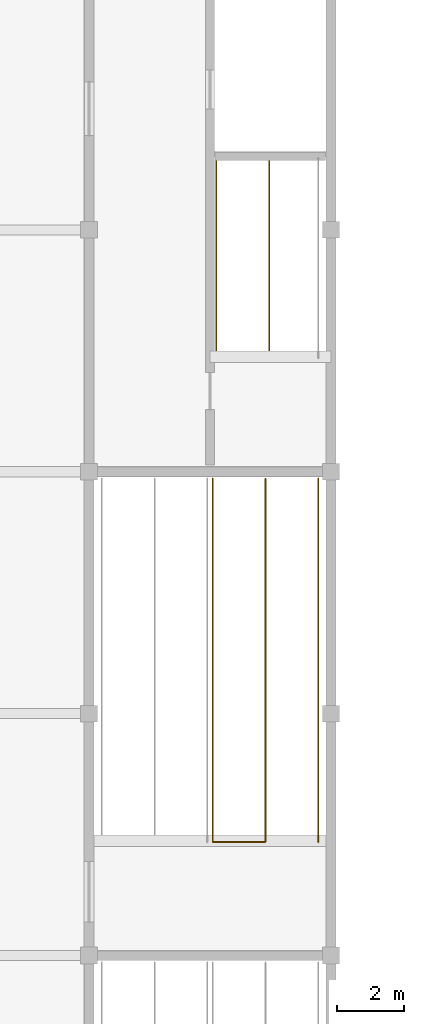
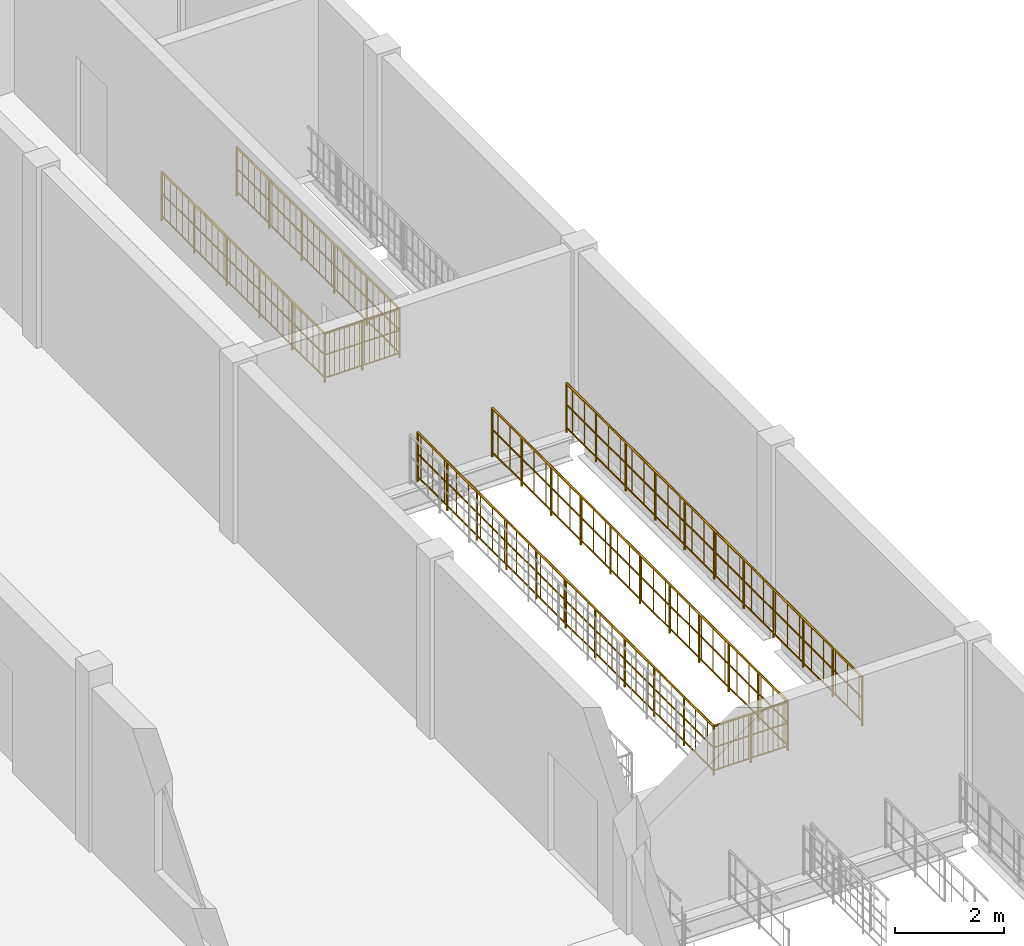
# One storey, part 50 of 51: 3 railings.
"""IFC4 building model written with IfcOpenShell, lengths in metres."""

from ifc_helpers import new_model, si_unit, direction, frame, origin, origin_2d, place, context, subcontext, project, spatial, circle, extrude, material, type_object, element, save


model = new_model("IFC4")

# Units and contexts
model_context = context("Model", 3, precision=1e-05, world=origin(), true_north=direction((0.0, 1.0)))
body_context = subcontext(model_context, "Body", "Model", "MODEL_VIEW")
ifc_project = project(units=[si_unit("LENGTHUNIT", "METRE"), si_unit("AREAUNIT", "SQUARE_METRE"), si_unit("VOLUMEUNIT", "CUBIC_METRE"), si_unit("PLANEANGLEUNIT", "RADIAN"), si_unit("MASSUNIT", "GRAM", prefix="KILO")], contexts=[model_context])

# Site, building, storey
site_placement = place(None, origin())
site = spatial("IfcSite", under=ifc_project, at=site_placement, CompositionType="ELEMENT")
building_placement = place(site_placement, origin())
building = spatial("IfcBuilding", under=site, at=building_placement, Name="Vesperath Aquatics Centre", CompositionType="ELEMENT")
storey_placement = place(building_placement, frame((0.0, 0.0, 15.0)))
storey = spatial("IfcBuildingStorey", under=building, at=storey_placement, Name="L03", CompositionType="ELEMENT", Elevation=15.0)

# Railings
ifc_material = material(Name="Powder-coated galvanized steel safety guard", Category="steel")
railing_type = type_object("IfcRailingType", Name="RL-GRD01", PredefinedType="GUARDRAIL", material=ifc_material)
railing_1_placement = place(storey_placement, frame((169.3798828125, 88.5400390625, 0.0)))
element("IfcRailing", 1, at=railing_1_placement, inside=storey, type_object=railing_type, Name="Stair ST4 Top Well Guard GR02 L03", PredefinedType="GUARDRAIL", context=body_context, shape_type="SweptSolid", body=[
    extrude(circle(Radius=0.02392578125, at=origin_2d()), frame((0.0, 0.0, 1.0859375), z_axis=(0.0, -1.0, 0.0), x_axis=(1.0, 0.0, 0.0)), (0.0, 0.0, 1.0), 5.9599609375),
    extrude(circle(Radius=0.01611328125, at=origin_2d()), frame((0.0, 0.0, 0.10009765625), z_axis=(0.0, -1.0, 0.0), x_axis=(1.0, 0.0, 0.0)), (0.0, 0.0, 1.0), 5.9599609375),
    extrude(circle(Radius=0.01611328125, at=origin_2d()), frame((0.0, 0.0, 0.610595703125), z_axis=(0.0, -1.0, 0.0), x_axis=(1.0, 0.0, 0.0)), (0.0, 0.0, 1.0), 5.9599609375),
    extrude(circle(Radius=0.009033203125, at=origin_2d()), frame((0.0, -0.1083984375, 0.10009765625)), (0.0, 0.0, 1.0), 0.9619140625),
    extrude(circle(Radius=0.009033203125, at=origin_2d()), frame((0.0, -0.3251953125, 0.10009765625)), (0.0, 0.0, 1.0), 0.9619140625),
    extrude(circle(Radius=0.009033203125, at=origin_2d()), frame((0.0, -0.541748046875, 0.10009765625)), (0.0, 0.0, 1.0), 0.9619140625),
    extrude(circle(Radius=0.009033203125, at=origin_2d()), frame((0.0, -0.758544921875, 0.10009765625)), (0.0, 0.0, 1.0), 0.9619140625),
    extrude(circle(Radius=0.009033203125, at=origin_2d()), frame((0.0, -0.975341796875, 0.10009765625)), (0.0, 0.0, 1.0), 0.9619140625),
    extrude(circle(Radius=0.009033203125, at=origin_2d()), frame((0.0, -1.19189453125, 0.10009765625)), (0.0, 0.0, 1.0), 0.9619140625),
    extrude(circle(Radius=0.009033203125, at=origin_2d()), frame((0.0, -1.40869140625, 0.10009765625)), (0.0, 0.0, 1.0), 0.9619140625),
    extrude(circle(Radius=0.009033203125, at=origin_2d()), frame((0.0, -1.62548828125, 0.10009765625)), (0.0, 0.0, 1.0), 0.9619140625),
    extrude(circle(Radius=0.009033203125, at=origin_2d()), frame((0.0, -1.84228515625, 0.10009765625)), (0.0, 0.0, 1.0), 0.9619140625),
    extrude(circle(Radius=0.009033203125, at=origin_2d()), frame((0.0, -2.058837890625, 0.10009765625)), (0.0, 0.0, 1.0), 0.9619140625),
    extrude(circle(Radius=0.009033203125, at=origin_2d()), frame((0.0, -2.275634765625, 0.10009765625)), (0.0, 0.0, 1.0), 0.9619140625),
    extrude(circle(Radius=0.009033203125, at=origin_2d()), frame((0.0, -2.492431640625, 0.10009765625)), (0.0, 0.0, 1.0), 0.9619140625),
    extrude(circle(Radius=0.009033203125, at=origin_2d()), frame((0.0, -2.708984375, 0.10009765625)), (0.0, 0.0, 1.0), 0.9619140625),
    extrude(circle(Radius=0.009033203125, at=origin_2d()), frame((0.0, -2.92578125, 0.10009765625)), (0.0, 0.0, 1.0), 0.9619140625),
    extrude(circle(Radius=0.009033203125, at=origin_2d()), frame((0.0, -3.142578125, 0.10009765625)), (0.0, 0.0, 1.0), 0.9619140625),
    extrude(circle(Radius=0.009033203125, at=origin_2d()), frame((0.0, -3.359130859375, 0.10009765625)), (0.0, 0.0, 1.0), 0.9619140625),
    extrude(circle(Radius=0.009033203125, at=origin_2d()), frame((0.0, -3.575927734375, 0.10009765625)), (0.0, 0.0, 1.0), 0.9619140625),
    extrude(circle(Radius=0.009033203125, at=origin_2d()), frame((0.0, -3.792724609375, 0.10009765625)), (0.0, 0.0, 1.0), 0.9619140625),
    extrude(circle(Radius=0.009033203125, at=origin_2d()), frame((0.0, -4.009521484375, 0.10009765625)), (0.0, 0.0, 1.0), 0.9619140625),
    extrude(circle(Radius=0.009033203125, at=origin_2d()), frame((0.0, -4.22607421875, 0.10009765625)), (0.0, 0.0, 1.0), 0.9619140625),
    extrude(circle(Radius=0.009033203125, at=origin_2d()), frame((0.0, -4.44287109375, 0.10009765625)), (0.0, 0.0, 1.0), 0.9619140625),
    extrude(circle(Radius=0.009033203125, at=origin_2d()), frame((0.0, -4.65966796875, 0.10009765625)), (0.0, 0.0, 1.0), 0.9619140625),
    extrude(circle(Radius=0.009033203125, at=origin_2d()), frame((0.0, -4.876220703125, 0.10009765625)), (0.0, 0.0, 1.0), 0.9619140625),
    extrude(circle(Radius=0.009033203125, at=origin_2d()), frame((0.0, -5.093017578125, 0.10009765625)), (0.0, 0.0, 1.0), 0.9619140625),
    extrude(circle(Radius=0.009033203125, at=origin_2d()), frame((0.0, -5.309814453125, 0.10009765625)), (0.0, 0.0, 1.0), 0.9619140625),
    extrude(circle(Radius=0.009033203125, at=origin_2d()), frame((0.0, -5.526611328125, 0.10009765625)), (0.0, 0.0, 1.0), 0.9619140625),
    extrude(circle(Radius=0.009033203125, at=origin_2d()), frame((0.0, -5.7431640625, 0.10009765625)), (0.0, 0.0, 1.0), 0.9619140625),
    extrude(circle(Radius=0.02392578125, at=origin_2d()), frame((0.0, -5.9599609375, 1.0859375), z_axis=(1.0, 0.0, 0.0), x_axis=(0.0, 1.0, 0.0)), (0.0, 0.0, 1.0), 1.580078125),
    extrude(circle(Radius=0.01611328125, at=origin_2d()), frame((0.0, -5.9599609375, 0.10009765625), z_axis=(1.0, 0.0, 0.0), x_axis=(0.0, 1.0, 0.0)), (0.0, 0.0, 1.0), 1.580078125),
    extrude(circle(Radius=0.01611328125, at=origin_2d()), frame((0.0, -5.9599609375, 0.610595703125), z_axis=(1.0, 0.0, 0.0), x_axis=(0.0, 1.0, 0.0)), (0.0, 0.0, 1.0), 1.580078125),
    extrude(circle(Radius=0.009033203125, at=origin_2d()), frame((0.105224609375, -5.9599609375, 0.10009765625)), (0.0, 0.0, 1.0), 0.9619140625),
    extrude(circle(Radius=0.009033203125, at=origin_2d()), frame((0.210693359375, -5.9599609375, 0.10009765625)), (0.0, 0.0, 1.0), 0.9619140625),
    extrude(circle(Radius=0.009033203125, at=origin_2d()), frame((0.31591796875, -5.9599609375, 0.10009765625)), (0.0, 0.0, 1.0), 0.9619140625),
    extrude(circle(Radius=0.009033203125, at=origin_2d()), frame((0.42138671875, -5.9599609375, 0.10009765625)), (0.0, 0.0, 1.0), 0.9619140625),
    extrude(circle(Radius=0.009033203125, at=origin_2d()), frame((0.526611328125, -5.9599609375, 0.10009765625)), (0.0, 0.0, 1.0), 0.9619140625),
    extrude(circle(Radius=0.009033203125, at=origin_2d()), frame((0.632080078125, -5.9599609375, 0.10009765625)), (0.0, 0.0, 1.0), 0.9619140625),
    extrude(circle(Radius=0.009033203125, at=origin_2d()), frame((0.7373046875, -5.9599609375, 0.10009765625)), (0.0, 0.0, 1.0), 0.9619140625),
    extrude(circle(Radius=0.009033203125, at=origin_2d()), frame((0.8427734375, -5.9599609375, 0.10009765625)), (0.0, 0.0, 1.0), 0.9619140625),
    extrude(circle(Radius=0.009033203125, at=origin_2d()), frame((0.947998046875, -5.9599609375, 0.10009765625)), (0.0, 0.0, 1.0), 0.9619140625),
    extrude(circle(Radius=0.009033203125, at=origin_2d()), frame((1.053466796875, -5.9599609375, 0.10009765625)), (0.0, 0.0, 1.0), 0.9619140625),
    extrude(circle(Radius=0.009033203125, at=origin_2d()), frame((1.15869140625, -5.9599609375, 0.10009765625)), (0.0, 0.0, 1.0), 0.9619140625),
    extrude(circle(Radius=0.009033203125, at=origin_2d()), frame((1.26416015625, -5.9599609375, 0.10009765625)), (0.0, 0.0, 1.0), 0.9619140625),
    extrude(circle(Radius=0.009033203125, at=origin_2d()), frame((1.369384765625, -5.9599609375, 0.10009765625)), (0.0, 0.0, 1.0), 0.9619140625),
    extrude(circle(Radius=0.009033203125, at=origin_2d()), frame((1.474853515625, -5.9599609375, 0.10009765625)), (0.0, 0.0, 1.0), 0.9619140625),
    extrude(circle(Radius=0.02392578125, at=origin_2d()), frame((1.580078125, -5.9599609375, 1.0859375), z_axis=(0.0, 1.0, 0.0), x_axis=(-1.0, 0.0, 0.0)), (0.0, 0.0, 1.0), 5.9599609375),
    extrude(circle(Radius=0.01611328125, at=origin_2d()), frame((1.580078125, -5.9599609375, 0.10009765625), z_axis=(0.0, 1.0, 0.0), x_axis=(-1.0, 0.0, 0.0)), (0.0, 0.0, 1.0), 5.9599609375),
    extrude(circle(Radius=0.01611328125, at=origin_2d()), frame((1.580078125, -5.9599609375, 0.610595703125), z_axis=(0.0, 1.0, 0.0), x_axis=(-1.0, 0.0, 0.0)), (0.0, 0.0, 1.0), 5.9599609375),
    extrude(circle(Radius=0.009033203125, at=origin_2d()), frame((1.580078125, -5.8515625, 0.10009765625)), (0.0, 0.0, 1.0), 0.9619140625),
    extrude(circle(Radius=0.009033203125, at=origin_2d()), frame((1.580078125, -5.634765625, 0.10009765625)), (0.0, 0.0, 1.0), 0.9619140625),
    extrude(circle(Radius=0.009033203125, at=origin_2d()), frame((1.580078125, -5.418212890625, 0.10009765625)), (0.0, 0.0, 1.0), 0.9619140625),
    extrude(circle(Radius=0.009033203125, at=origin_2d()), frame((1.580078125, -5.201416015625, 0.10009765625)), (0.0, 0.0, 1.0), 0.9619140625),
    extrude(circle(Radius=0.009033203125, at=origin_2d()), frame((1.580078125, -4.984619140625, 0.10009765625)), (0.0, 0.0, 1.0), 0.9619140625),
    extrude(circle(Radius=0.009033203125, at=origin_2d()), frame((1.580078125, -4.76806640625, 0.10009765625)), (0.0, 0.0, 1.0), 0.9619140625),
    extrude(circle(Radius=0.009033203125, at=origin_2d()), frame((1.580078125, -4.55126953125, 0.10009765625)), (0.0, 0.0, 1.0), 0.9619140625),
    extrude(circle(Radius=0.009033203125, at=origin_2d()), frame((1.580078125, -4.33447265625, 0.10009765625)), (0.0, 0.0, 1.0), 0.9619140625),
    extrude(circle(Radius=0.009033203125, at=origin_2d()), frame((1.580078125, -4.11767578125, 0.10009765625)), (0.0, 0.0, 1.0), 0.9619140625),
    extrude(circle(Radius=0.009033203125, at=origin_2d()), frame((1.580078125, -3.901123046875, 0.10009765625)), (0.0, 0.0, 1.0), 0.9619140625),
    extrude(circle(Radius=0.009033203125, at=origin_2d()), frame((1.580078125, -3.684326171875, 0.10009765625)), (0.0, 0.0, 1.0), 0.9619140625),
    extrude(circle(Radius=0.009033203125, at=origin_2d()), frame((1.580078125, -3.467529296875, 0.10009765625)), (0.0, 0.0, 1.0), 0.9619140625),
    extrude(circle(Radius=0.009033203125, at=origin_2d()), frame((1.580078125, -3.2509765625, 0.10009765625)), (0.0, 0.0, 1.0), 0.9619140625),
    extrude(circle(Radius=0.009033203125, at=origin_2d()), frame((1.580078125, -3.0341796875, 0.10009765625)), (0.0, 0.0, 1.0), 0.9619140625),
    extrude(circle(Radius=0.009033203125, at=origin_2d()), frame((1.580078125, -2.8173828125, 0.10009765625)), (0.0, 0.0, 1.0), 0.9619140625),
    extrude(circle(Radius=0.009033203125, at=origin_2d()), frame((1.580078125, -2.600830078125, 0.10009765625)), (0.0, 0.0, 1.0), 0.9619140625),
    extrude(circle(Radius=0.009033203125, at=origin_2d()), frame((1.580078125, -2.384033203125, 0.10009765625)), (0.0, 0.0, 1.0), 0.9619140625),
    extrude(circle(Radius=0.009033203125, at=origin_2d()), frame((1.580078125, -2.167236328125, 0.10009765625)), (0.0, 0.0, 1.0), 0.9619140625),
    extrude(circle(Radius=0.009033203125, at=origin_2d()), frame((1.580078125, -1.950439453125, 0.10009765625)), (0.0, 0.0, 1.0), 0.9619140625),
    extrude(circle(Radius=0.009033203125, at=origin_2d()), frame((1.580078125, -1.73388671875, 0.10009765625)), (0.0, 0.0, 1.0), 0.9619140625),
    extrude(circle(Radius=0.009033203125, at=origin_2d()), frame((1.580078125, -1.51708984375, 0.10009765625)), (0.0, 0.0, 1.0), 0.9619140625),
    extrude(circle(Radius=0.009033203125, at=origin_2d()), frame((1.580078125, -1.30029296875, 0.10009765625)), (0.0, 0.0, 1.0), 0.9619140625),
    extrude(circle(Radius=0.009033203125, at=origin_2d()), frame((1.580078125, -1.083740234375, 0.10009765625)), (0.0, 0.0, 1.0), 0.9619140625),
    extrude(circle(Radius=0.009033203125, at=origin_2d()), frame((1.580078125, -0.866943359375, 0.10009765625)), (0.0, 0.0, 1.0), 0.9619140625),
    extrude(circle(Radius=0.009033203125, at=origin_2d()), frame((1.580078125, -0.650146484375, 0.10009765625)), (0.0, 0.0, 1.0), 0.9619140625),
    extrude(circle(Radius=0.009033203125, at=origin_2d()), frame((1.580078125, -0.433349609375, 0.10009765625)), (0.0, 0.0, 1.0), 0.9619140625),
    extrude(circle(Radius=0.009033203125, at=origin_2d()), frame((1.580078125, -0.216796875, 0.10009765625)), (0.0, 0.0, 1.0), 0.9619140625),
    extrude(circle(Radius=0.02197265625, at=origin_2d()), origin(), (0.0, 0.0, 1.0), 1.0859375),
    extrude(circle(Radius=0.02197265625, at=origin_2d()), frame((0.0, -1.19189453125, 0.0)), (0.0, 0.0, 1.0), 1.0859375),
    extrude(circle(Radius=0.02197265625, at=origin_2d()), frame((0.0, -2.384033203125, 0.0)), (0.0, 0.0, 1.0), 1.0859375),
    extrude(circle(Radius=0.02197265625, at=origin_2d()), frame((0.0, -3.575927734375, 0.0)), (0.0, 0.0, 1.0), 1.0859375),
    extrude(circle(Radius=0.02197265625, at=origin_2d()), frame((0.0, -4.76806640625, 0.0)), (0.0, 0.0, 1.0), 1.0859375),
    extrude(circle(Radius=0.02197265625, at=origin_2d()), frame((0.0, -5.9599609375, 0.0)), (0.0, 0.0, 1.0), 1.0859375),
    extrude(circle(Radius=0.02197265625, at=origin_2d()), frame((0.7900390625, -5.9599609375, 0.0)), (0.0, 0.0, 1.0), 1.0859375),
    extrude(circle(Radius=0.02197265625, at=origin_2d()), frame((1.580078125, -5.9599609375, 0.0)), (0.0, 0.0, 1.0), 1.0859375),
    extrude(circle(Radius=0.02197265625, at=origin_2d()), frame((1.580078125, -4.76806640625, 0.0)), (0.0, 0.0, 1.0), 1.0859375),
    extrude(circle(Radius=0.02197265625, at=origin_2d()), frame((1.580078125, -3.575927734375, 0.0)), (0.0, 0.0, 1.0), 1.0859375),
    extrude(circle(Radius=0.02197265625, at=origin_2d()), frame((1.580078125, -2.384033203125, 0.0)), (0.0, 0.0, 1.0), 1.0859375),
    extrude(circle(Radius=0.02197265625, at=origin_2d()), frame((1.580078125, -1.19189453125, 0.0)), (0.0, 0.0, 1.0), 1.0859375),
    extrude(circle(Radius=0.02197265625, at=origin_2d()), frame((1.580078125, 0.0, 0.0)), (0.0, 0.0, 1.0), 1.0859375),
])
railing_2_placement = place(storey_placement, frame((169.280029296875, 79.0, 0.0)))
element("IfcRailing", 2, at=railing_2_placement, inside=storey, type_object=railing_type, Name="Stair ST13B Top Well Guard GR02 L03", PredefinedType="GUARDRAIL", context=body_context, shape_type="SweptSolid", body=[
    extrude(circle(Radius=0.02392578125, at=origin_2d()), frame((0.0, 0.0, 1.0859375), z_axis=(0.0, -1.0, 0.0), x_axis=(1.0, 0.0, 0.0)), (0.0, 0.0, 1.0), 10.820068359375),
    extrude(circle(Radius=0.01611328125, at=origin_2d()), frame((0.0, 0.0, 0.10009765625), z_axis=(0.0, -1.0, 0.0), x_axis=(1.0, 0.0, 0.0)), (0.0, 0.0, 1.0), 10.820068359375),
    extrude(circle(Radius=0.01611328125, at=origin_2d()), frame((0.0, 0.0, 0.610595703125), z_axis=(0.0, -1.0, 0.0), x_axis=(1.0, 0.0, 0.0)), (0.0, 0.0, 1.0), 10.820068359375),
    extrude(circle(Radius=0.009033203125, at=origin_2d()), frame((0.0, -0.109375, 0.10009765625)), (0.0, 0.0, 1.0), 0.9619140625),
    extrude(circle(Radius=0.009033203125, at=origin_2d()), frame((0.0, -0.54638671875, 0.10009765625)), (0.0, 0.0, 1.0), 0.9619140625),
    extrude(circle(Radius=0.009033203125, at=origin_2d()), frame((0.0, -0.983642578125, 0.10009765625)), (0.0, 0.0, 1.0), 0.9619140625),
    extrude(circle(Radius=0.009033203125, at=origin_2d()), frame((0.0, -1.4208984375, 0.10009765625)), (0.0, 0.0, 1.0), 0.9619140625),
    extrude(circle(Radius=0.009033203125, at=origin_2d()), frame((0.0, -1.85791015625, 0.10009765625)), (0.0, 0.0, 1.0), 0.9619140625),
    extrude(circle(Radius=0.009033203125, at=origin_2d()), frame((0.0, -2.295166015625, 0.10009765625)), (0.0, 0.0, 1.0), 0.9619140625),
    extrude(circle(Radius=0.009033203125, at=origin_2d()), frame((0.0, -2.732421875, 0.10009765625)), (0.0, 0.0, 1.0), 0.9619140625),
    extrude(circle(Radius=0.009033203125, at=origin_2d()), frame((0.0, -3.16943359375, 0.10009765625)), (0.0, 0.0, 1.0), 0.9619140625),
    extrude(circle(Radius=0.009033203125, at=origin_2d()), frame((0.0, -3.606689453125, 0.10009765625)), (0.0, 0.0, 1.0), 0.9619140625),
    extrude(circle(Radius=0.009033203125, at=origin_2d()), frame((0.0, -4.0439453125, 0.10009765625)), (0.0, 0.0, 1.0), 0.9619140625),
    extrude(circle(Radius=0.009033203125, at=origin_2d()), frame((0.0, -4.48095703125, 0.10009765625)), (0.0, 0.0, 1.0), 0.9619140625),
    extrude(circle(Radius=0.009033203125, at=origin_2d()), frame((0.0, -4.918212890625, 0.10009765625)), (0.0, 0.0, 1.0), 0.9619140625),
    extrude(circle(Radius=0.009033203125, at=origin_2d()), frame((0.0, -5.35546875, 0.10009765625)), (0.0, 0.0, 1.0), 0.9619140625),
    extrude(circle(Radius=0.009033203125, at=origin_2d()), frame((0.0, -5.79248046875, 0.10009765625)), (0.0, 0.0, 1.0), 0.9619140625),
    extrude(circle(Radius=0.009033203125, at=origin_2d()), frame((0.0, -6.229736328125, 0.10009765625)), (0.0, 0.0, 1.0), 0.9619140625),
    extrude(circle(Radius=0.009033203125, at=origin_2d()), frame((0.0, -6.6669921875, 0.10009765625)), (0.0, 0.0, 1.0), 0.9619140625),
    extrude(circle(Radius=0.009033203125, at=origin_2d()), frame((0.0, -7.10400390625, 0.10009765625)), (0.0, 0.0, 1.0), 0.9619140625),
    extrude(circle(Radius=0.009033203125, at=origin_2d()), frame((0.0, -7.541259765625, 0.10009765625)), (0.0, 0.0, 1.0), 0.9619140625),
    extrude(circle(Radius=0.009033203125, at=origin_2d()), frame((0.0, -7.978515625, 0.10009765625)), (0.0, 0.0, 1.0), 0.9619140625),
    extrude(circle(Radius=0.009033203125, at=origin_2d()), frame((0.0, -8.41552734375, 0.10009765625)), (0.0, 0.0, 1.0), 0.9619140625),
    extrude(circle(Radius=0.009033203125, at=origin_2d()), frame((0.0, -8.852783203125, 0.10009765625)), (0.0, 0.0, 1.0), 0.9619140625),
    extrude(circle(Radius=0.009033203125, at=origin_2d()), frame((0.0, -9.2900390625, 0.10009765625)), (0.0, 0.0, 1.0), 0.9619140625),
    extrude(circle(Radius=0.009033203125, at=origin_2d()), frame((0.0, -9.72705078125, 0.10009765625)), (0.0, 0.0, 1.0), 0.9619140625),
    extrude(circle(Radius=0.009033203125, at=origin_2d()), frame((0.0, -10.164306640625, 0.10009765625)), (0.0, 0.0, 1.0), 0.9619140625),
    extrude(circle(Radius=0.009033203125, at=origin_2d()), frame((0.0, -10.6015625, 0.10009765625)), (0.0, 0.0, 1.0), 0.9619140625),
    extrude(circle(Radius=0.02392578125, at=origin_2d()), frame((0.0, -10.820068359375, 1.0859375), z_axis=(1.0, 0.0, 0.0), x_axis=(0.0, 1.0, 0.0)), (0.0, 0.0, 1.0), 1.570068359375),
    extrude(circle(Radius=0.01611328125, at=origin_2d()), frame((0.0, -10.820068359375, 0.10009765625), z_axis=(1.0, 0.0, 0.0), x_axis=(0.0, 1.0, 0.0)), (0.0, 0.0, 1.0), 1.570068359375),
    extrude(circle(Radius=0.01611328125, at=origin_2d()), frame((0.0, -10.820068359375, 0.610595703125), z_axis=(1.0, 0.0, 0.0), x_axis=(0.0, 1.0, 0.0)), (0.0, 0.0, 1.0), 1.570068359375),
    extrude(circle(Radius=0.009033203125, at=origin_2d()), frame((0.104736328125, -10.820068359375, 0.10009765625)), (0.0, 0.0, 1.0), 0.9619140625),
    extrude(circle(Radius=0.009033203125, at=origin_2d()), frame((0.209228515625, -10.820068359375, 0.10009765625)), (0.0, 0.0, 1.0), 0.9619140625),
    extrude(circle(Radius=0.009033203125, at=origin_2d()), frame((0.31396484375, -10.820068359375, 0.10009765625)), (0.0, 0.0, 1.0), 0.9619140625),
    extrude(circle(Radius=0.009033203125, at=origin_2d()), frame((0.418701171875, -10.820068359375, 0.10009765625)), (0.0, 0.0, 1.0), 0.9619140625),
    extrude(circle(Radius=0.009033203125, at=origin_2d()), frame((0.5234375, -10.820068359375, 0.10009765625)), (0.0, 0.0, 1.0), 0.9619140625),
    extrude(circle(Radius=0.009033203125, at=origin_2d()), frame((0.6279296875, -10.820068359375, 0.10009765625)), (0.0, 0.0, 1.0), 0.9619140625),
    extrude(circle(Radius=0.009033203125, at=origin_2d()), frame((0.732666015625, -10.820068359375, 0.10009765625)), (0.0, 0.0, 1.0), 0.9619140625),
    extrude(circle(Radius=0.009033203125, at=origin_2d()), frame((0.83740234375, -10.820068359375, 0.10009765625)), (0.0, 0.0, 1.0), 0.9619140625),
    extrude(circle(Radius=0.009033203125, at=origin_2d()), frame((0.942138671875, -10.820068359375, 0.10009765625)), (0.0, 0.0, 1.0), 0.9619140625),
    extrude(circle(Radius=0.009033203125, at=origin_2d()), frame((1.046630859375, -10.820068359375, 0.10009765625)), (0.0, 0.0, 1.0), 0.9619140625),
    extrude(circle(Radius=0.009033203125, at=origin_2d()), frame((1.1513671875, -10.820068359375, 0.10009765625)), (0.0, 0.0, 1.0), 0.9619140625),
    extrude(circle(Radius=0.009033203125, at=origin_2d()), frame((1.256103515625, -10.820068359375, 0.10009765625)), (0.0, 0.0, 1.0), 0.9619140625),
    extrude(circle(Radius=0.009033203125, at=origin_2d()), frame((1.36083984375, -10.820068359375, 0.10009765625)), (0.0, 0.0, 1.0), 0.9619140625),
    extrude(circle(Radius=0.009033203125, at=origin_2d()), frame((1.46533203125, -10.820068359375, 0.10009765625)), (0.0, 0.0, 1.0), 0.9619140625),
    extrude(circle(Radius=0.02392578125, at=origin_2d()), frame((1.570068359375, -10.820068359375, 1.0859375), z_axis=(0.0, 1.0, 0.0), x_axis=(-1.0, 0.0, 0.0)), (0.0, 0.0, 1.0), 10.820068359375),
    extrude(circle(Radius=0.01611328125, at=origin_2d()), frame((1.570068359375, -10.820068359375, 0.10009765625), z_axis=(0.0, 1.0, 0.0), x_axis=(-1.0, 0.0, 0.0)), (0.0, 0.0, 1.0), 10.820068359375),
    extrude(circle(Radius=0.01611328125, at=origin_2d()), frame((1.570068359375, -10.820068359375, 0.610595703125), z_axis=(0.0, 1.0, 0.0), x_axis=(-1.0, 0.0, 0.0)), (0.0, 0.0, 1.0), 10.820068359375),
    extrude(circle(Radius=0.009033203125, at=origin_2d()), frame((1.570068359375, -10.710693359375, 0.10009765625)), (0.0, 0.0, 1.0), 0.9619140625),
    extrude(circle(Radius=0.009033203125, at=origin_2d()), frame((1.570068359375, -10.273681640625, 0.10009765625)), (0.0, 0.0, 1.0), 0.9619140625),
    extrude(circle(Radius=0.009033203125, at=origin_2d()), frame((1.570068359375, -9.83642578125, 0.10009765625)), (0.0, 0.0, 1.0), 0.9619140625),
    extrude(circle(Radius=0.009033203125, at=origin_2d()), frame((1.570068359375, -9.399169921875, 0.10009765625)), (0.0, 0.0, 1.0), 0.9619140625),
    extrude(circle(Radius=0.009033203125, at=origin_2d()), frame((1.570068359375, -8.962158203125, 0.10009765625)), (0.0, 0.0, 1.0), 0.9619140625),
    extrude(circle(Radius=0.009033203125, at=origin_2d()), frame((1.570068359375, -8.52490234375, 0.10009765625)), (0.0, 0.0, 1.0), 0.9619140625),
    extrude(circle(Radius=0.009033203125, at=origin_2d()), frame((1.570068359375, -8.087646484375, 0.10009765625)), (0.0, 0.0, 1.0), 0.9619140625),
    extrude(circle(Radius=0.009033203125, at=origin_2d()), frame((1.570068359375, -7.650634765625, 0.10009765625)), (0.0, 0.0, 1.0), 0.9619140625),
    extrude(circle(Radius=0.009033203125, at=origin_2d()), frame((1.570068359375, -7.21337890625, 0.10009765625)), (0.0, 0.0, 1.0), 0.9619140625),
    extrude(circle(Radius=0.009033203125, at=origin_2d()), frame((1.570068359375, -6.776123046875, 0.10009765625)), (0.0, 0.0, 1.0), 0.9619140625),
    extrude(circle(Radius=0.009033203125, at=origin_2d()), frame((1.570068359375, -6.339111328125, 0.10009765625)), (0.0, 0.0, 1.0), 0.9619140625),
    extrude(circle(Radius=0.009033203125, at=origin_2d()), frame((1.570068359375, -5.90185546875, 0.10009765625)), (0.0, 0.0, 1.0), 0.9619140625),
    extrude(circle(Radius=0.009033203125, at=origin_2d()), frame((1.570068359375, -5.464599609375, 0.10009765625)), (0.0, 0.0, 1.0), 0.9619140625),
    extrude(circle(Radius=0.009033203125, at=origin_2d()), frame((1.570068359375, -5.027587890625, 0.10009765625)), (0.0, 0.0, 1.0), 0.9619140625),
    extrude(circle(Radius=0.009033203125, at=origin_2d()), frame((1.570068359375, -4.59033203125, 0.10009765625)), (0.0, 0.0, 1.0), 0.9619140625),
    extrude(circle(Radius=0.009033203125, at=origin_2d()), frame((1.570068359375, -4.153076171875, 0.10009765625)), (0.0, 0.0, 1.0), 0.9619140625),
    extrude(circle(Radius=0.009033203125, at=origin_2d()), frame((1.570068359375, -3.716064453125, 0.10009765625)), (0.0, 0.0, 1.0), 0.9619140625),
    extrude(circle(Radius=0.009033203125, at=origin_2d()), frame((1.570068359375, -3.27880859375, 0.10009765625)), (0.0, 0.0, 1.0), 0.9619140625),
    extrude(circle(Radius=0.009033203125, at=origin_2d()), frame((1.570068359375, -2.841552734375, 0.10009765625)), (0.0, 0.0, 1.0), 0.9619140625),
    extrude(circle(Radius=0.009033203125, at=origin_2d()), frame((1.570068359375, -2.404541015625, 0.10009765625)), (0.0, 0.0, 1.0), 0.9619140625),
    extrude(circle(Radius=0.009033203125, at=origin_2d()), frame((1.570068359375, -1.96728515625, 0.10009765625)), (0.0, 0.0, 1.0), 0.9619140625),
    extrude(circle(Radius=0.009033203125, at=origin_2d()), frame((1.570068359375, -1.530029296875, 0.10009765625)), (0.0, 0.0, 1.0), 0.9619140625),
    extrude(circle(Radius=0.009033203125, at=origin_2d()), frame((1.570068359375, -1.093017578125, 0.10009765625)), (0.0, 0.0, 1.0), 0.9619140625),
    extrude(circle(Radius=0.009033203125, at=origin_2d()), frame((1.570068359375, -0.65576171875, 0.10009765625)), (0.0, 0.0, 1.0), 0.9619140625),
    extrude(circle(Radius=0.009033203125, at=origin_2d()), frame((1.570068359375, -0.218505859375, 0.10009765625)), (0.0, 0.0, 1.0), 0.9619140625),
    extrude(circle(Radius=0.02197265625, at=origin_2d()), origin(), (0.0, 0.0, 1.0), 1.0859375),
    extrude(circle(Radius=0.02197265625, at=origin_2d()), frame((0.0, -1.08203125, 0.0)), (0.0, 0.0, 1.0), 1.0859375),
    extrude(circle(Radius=0.02197265625, at=origin_2d()), frame((0.0, -2.1640625, 0.0)), (0.0, 0.0, 1.0), 1.0859375),
    extrude(circle(Radius=0.02197265625, at=origin_2d()), frame((0.0, -3.24609375, 0.0)), (0.0, 0.0, 1.0), 1.0859375),
    extrude(circle(Radius=0.02197265625, at=origin_2d()), frame((0.0, -4.328125, 0.0)), (0.0, 0.0, 1.0), 1.0859375),
    extrude(circle(Radius=0.02197265625, at=origin_2d()), frame((0.0, -5.41015625, 0.0)), (0.0, 0.0, 1.0), 1.0859375),
    extrude(circle(Radius=0.02197265625, at=origin_2d()), frame((0.0, -6.491943359375, 0.0)), (0.0, 0.0, 1.0), 1.0859375),
    extrude(circle(Radius=0.02197265625, at=origin_2d()), frame((0.0, -7.573974609375, 0.0)), (0.0, 0.0, 1.0), 1.0859375),
    extrude(circle(Radius=0.02197265625, at=origin_2d()), frame((0.0, -8.656005859375, 0.0)), (0.0, 0.0, 1.0), 1.0859375),
    extrude(circle(Radius=0.02197265625, at=origin_2d()), frame((0.0, -9.738037109375, 0.0)), (0.0, 0.0, 1.0), 1.0859375),
    extrude(circle(Radius=0.02197265625, at=origin_2d()), frame((0.0, -10.820068359375, 0.0)), (0.0, 0.0, 1.0), 1.0859375),
    extrude(circle(Radius=0.02197265625, at=origin_2d()), frame((0.78515625, -10.820068359375, 0.0)), (0.0, 0.0, 1.0), 1.0859375),
    extrude(circle(Radius=0.02197265625, at=origin_2d()), frame((1.570068359375, -10.820068359375, 0.0)), (0.0, 0.0, 1.0), 1.0859375),
    extrude(circle(Radius=0.02197265625, at=origin_2d()), frame((1.570068359375, -9.738037109375, 0.0)), (0.0, 0.0, 1.0), 1.0859375),
    extrude(circle(Radius=0.02197265625, at=origin_2d()), frame((1.570068359375, -8.656005859375, 0.0)), (0.0, 0.0, 1.0), 1.0859375),
    extrude(circle(Radius=0.02197265625, at=origin_2d()), frame((1.570068359375, -7.573974609375, 0.0)), (0.0, 0.0, 1.0), 1.0859375),
    extrude(circle(Radius=0.02197265625, at=origin_2d()), frame((1.570068359375, -6.491943359375, 0.0)), (0.0, 0.0, 1.0), 1.0859375),
    extrude(circle(Radius=0.02197265625, at=origin_2d()), frame((1.570068359375, -5.41015625, 0.0)), (0.0, 0.0, 1.0), 1.0859375),
    extrude(circle(Radius=0.02197265625, at=origin_2d()), frame((1.570068359375, -4.328125, 0.0)), (0.0, 0.0, 1.0), 1.0859375),
    extrude(circle(Radius=0.02197265625, at=origin_2d()), frame((1.570068359375, -3.24609375, 0.0)), (0.0, 0.0, 1.0), 1.0859375),
    extrude(circle(Radius=0.02197265625, at=origin_2d()), frame((1.570068359375, -2.1640625, 0.0)), (0.0, 0.0, 1.0), 1.0859375),
    extrude(circle(Radius=0.02197265625, at=origin_2d()), frame((1.570068359375, -1.08203125, 0.0)), (0.0, 0.0, 1.0), 1.0859375),
    extrude(circle(Radius=0.02197265625, at=origin_2d()), frame((1.570068359375, 0.0, 0.0)), (0.0, 0.0, 1.0), 1.0859375),
])
railing_3_placement = place(storey_placement, frame((172.419921875, 68.179931640625, 0.0)))
element("IfcRailing", 3, at=railing_3_placement, inside=storey, type_object=railing_type, Name="Stair ST13B Top Side Guard GR02 L03", PredefinedType="GUARDRAIL", context=body_context, shape_type="SweptSolid", body=[
    extrude(circle(Radius=0.02392578125, at=origin_2d()), frame((0.0, 0.0, 1.0859375), z_axis=(0.0, 1.0, 0.0), x_axis=(-1.0, 0.0, 0.0)), (0.0, 0.0, 1.0), 10.820068359375),
    extrude(circle(Radius=0.01611328125, at=origin_2d()), frame((0.0, 0.0, 0.10009765625), z_axis=(0.0, 1.0, 0.0), x_axis=(-1.0, 0.0, 0.0)), (0.0, 0.0, 1.0), 10.820068359375),
    extrude(circle(Radius=0.01611328125, at=origin_2d()), frame((0.0, 0.0, 0.610595703125), z_axis=(0.0, 1.0, 0.0), x_axis=(-1.0, 0.0, 0.0)), (0.0, 0.0, 1.0), 10.820068359375),
    extrude(circle(Radius=0.009033203125, at=origin_2d()), frame((0.0, 0.109375, 0.10009765625)), (0.0, 0.0, 1.0), 0.9619140625),
    extrude(circle(Radius=0.009033203125, at=origin_2d()), frame((0.0, 0.54638671875, 0.10009765625)), (0.0, 0.0, 1.0), 0.9619140625),
    extrude(circle(Radius=0.009033203125, at=origin_2d()), frame((0.0, 0.983642578125, 0.10009765625)), (0.0, 0.0, 1.0), 0.9619140625),
    extrude(circle(Radius=0.009033203125, at=origin_2d()), frame((0.0, 1.4208984375, 0.10009765625)), (0.0, 0.0, 1.0), 0.9619140625),
    extrude(circle(Radius=0.009033203125, at=origin_2d()), frame((0.0, 1.85791015625, 0.10009765625)), (0.0, 0.0, 1.0), 0.9619140625),
    extrude(circle(Radius=0.009033203125, at=origin_2d()), frame((0.0, 2.295166015625, 0.10009765625)), (0.0, 0.0, 1.0), 0.9619140625),
    extrude(circle(Radius=0.009033203125, at=origin_2d()), frame((0.0, 2.732421875, 0.10009765625)), (0.0, 0.0, 1.0), 0.9619140625),
    extrude(circle(Radius=0.009033203125, at=origin_2d()), frame((0.0, 3.16943359375, 0.10009765625)), (0.0, 0.0, 1.0), 0.9619140625),
    extrude(circle(Radius=0.009033203125, at=origin_2d()), frame((0.0, 3.606689453125, 0.10009765625)), (0.0, 0.0, 1.0), 0.9619140625),
    extrude(circle(Radius=0.009033203125, at=origin_2d()), frame((0.0, 4.0439453125, 0.10009765625)), (0.0, 0.0, 1.0), 0.9619140625),
    extrude(circle(Radius=0.009033203125, at=origin_2d()), frame((0.0, 4.48095703125, 0.10009765625)), (0.0, 0.0, 1.0), 0.9619140625),
    extrude(circle(Radius=0.009033203125, at=origin_2d()), frame((0.0, 4.918212890625, 0.10009765625)), (0.0, 0.0, 1.0), 0.9619140625),
    extrude(circle(Radius=0.009033203125, at=origin_2d()), frame((0.0, 5.35546875, 0.10009765625)), (0.0, 0.0, 1.0), 0.9619140625),
    extrude(circle(Radius=0.009033203125, at=origin_2d()), frame((0.0, 5.79248046875, 0.10009765625)), (0.0, 0.0, 1.0), 0.9619140625),
    extrude(circle(Radius=0.009033203125, at=origin_2d()), frame((0.0, 6.229736328125, 0.10009765625)), (0.0, 0.0, 1.0), 0.9619140625),
    extrude(circle(Radius=0.009033203125, at=origin_2d()), frame((0.0, 6.6669921875, 0.10009765625)), (0.0, 0.0, 1.0), 0.9619140625),
    extrude(circle(Radius=0.009033203125, at=origin_2d()), frame((0.0, 7.10400390625, 0.10009765625)), (0.0, 0.0, 1.0), 0.9619140625),
    extrude(circle(Radius=0.009033203125, at=origin_2d()), frame((0.0, 7.541259765625, 0.10009765625)), (0.0, 0.0, 1.0), 0.9619140625),
    extrude(circle(Radius=0.009033203125, at=origin_2d()), frame((0.0, 7.978515625, 0.10009765625)), (0.0, 0.0, 1.0), 0.9619140625),
    extrude(circle(Radius=0.009033203125, at=origin_2d()), frame((0.0, 8.41552734375, 0.10009765625)), (0.0, 0.0, 1.0), 0.9619140625),
    extrude(circle(Radius=0.009033203125, at=origin_2d()), frame((0.0, 8.852783203125, 0.10009765625)), (0.0, 0.0, 1.0), 0.9619140625),
    extrude(circle(Radius=0.009033203125, at=origin_2d()), frame((0.0, 9.2900390625, 0.10009765625)), (0.0, 0.0, 1.0), 0.9619140625),
    extrude(circle(Radius=0.009033203125, at=origin_2d()), frame((0.0, 9.72705078125, 0.10009765625)), (0.0, 0.0, 1.0), 0.9619140625),
    extrude(circle(Radius=0.009033203125, at=origin_2d()), frame((0.0, 10.164306640625, 0.10009765625)), (0.0, 0.0, 1.0), 0.9619140625),
    extrude(circle(Radius=0.009033203125, at=origin_2d()), frame((0.0, 10.6015625, 0.10009765625)), (0.0, 0.0, 1.0), 0.9619140625),
    extrude(circle(Radius=0.02197265625, at=origin_2d()), origin(), (0.0, 0.0, 1.0), 1.0859375),
    extrude(circle(Radius=0.02197265625, at=origin_2d()), frame((0.0, 1.08203125, 0.0)), (0.0, 0.0, 1.0), 1.0859375),
    extrude(circle(Radius=0.02197265625, at=origin_2d()), frame((0.0, 2.1640625, 0.0)), (0.0, 0.0, 1.0), 1.0859375),
    extrude(circle(Radius=0.02197265625, at=origin_2d()), frame((0.0, 3.24609375, 0.0)), (0.0, 0.0, 1.0), 1.0859375),
    extrude(circle(Radius=0.02197265625, at=origin_2d()), frame((0.0, 4.328125, 0.0)), (0.0, 0.0, 1.0), 1.0859375),
    extrude(circle(Radius=0.02197265625, at=origin_2d()), frame((0.0, 5.41015625, 0.0)), (0.0, 0.0, 1.0), 1.0859375),
    extrude(circle(Radius=0.02197265625, at=origin_2d()), frame((0.0, 6.491943359375, 0.0)), (0.0, 0.0, 1.0), 1.0859375),
    extrude(circle(Radius=0.02197265625, at=origin_2d()), frame((0.0, 7.573974609375, 0.0)), (0.0, 0.0, 1.0), 1.0859375),
    extrude(circle(Radius=0.02197265625, at=origin_2d()), frame((0.0, 8.656005859375, 0.0)), (0.0, 0.0, 1.0), 1.0859375),
    extrude(circle(Radius=0.02197265625, at=origin_2d()), frame((0.0, 9.738037109375, 0.0)), (0.0, 0.0, 1.0), 1.0859375),
    extrude(circle(Radius=0.02197265625, at=origin_2d()), frame((0.0, 10.820068359375, 0.0)), (0.0, 0.0, 1.0), 1.0859375),
])

save(model, "model.ifc")
